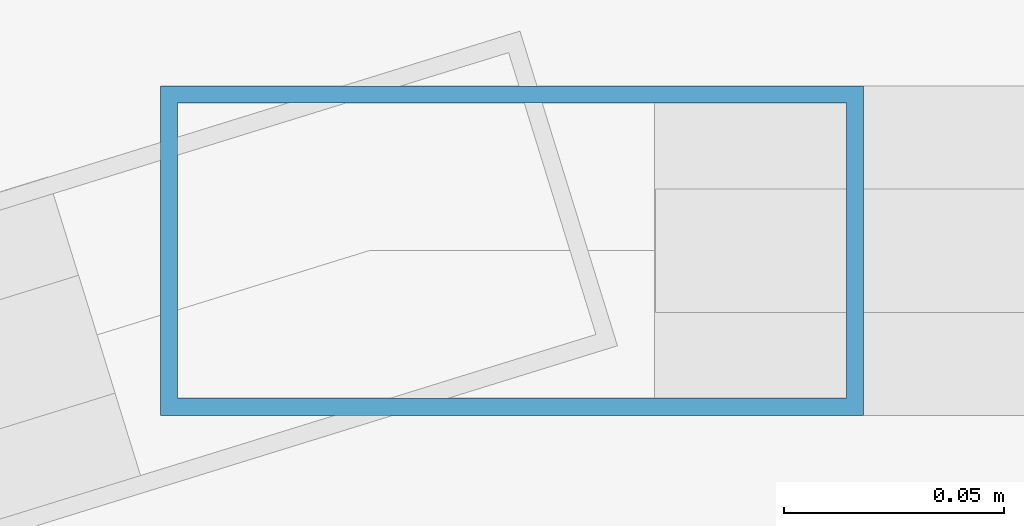
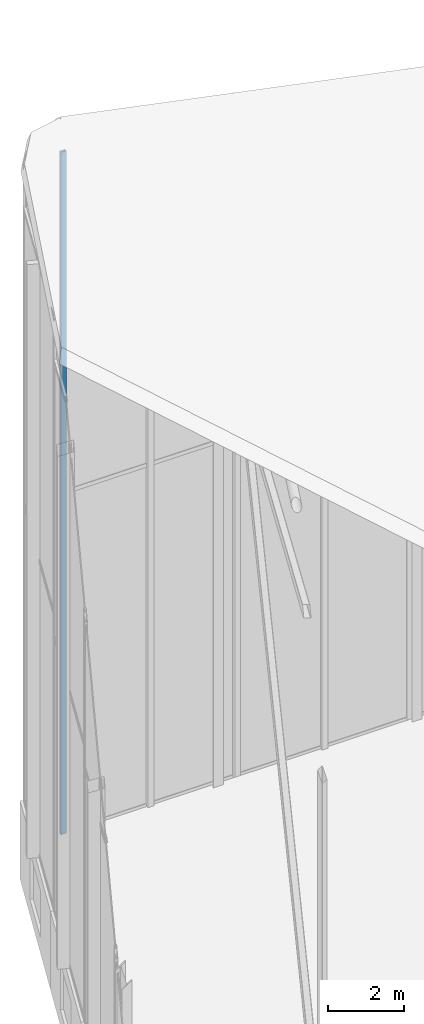
# One storey, part 43 of 74: 1 member, 1 element without a shape of its own.
"""IFC4 building model written with IfcOpenShell, lengths in metres."""

from ifc_helpers import new_model, si_unit, direction, frame, origin, origin_2d, place, context, subcontext, project, spatial, hollow_rectangle, extrude, material, layer, layer_set, material_profile, profile_set, type_object, element, aggregate, save


model = new_model("IFC4")

# Units and contexts
model_context = context("Model", 3, precision=1e-05, world=origin(), true_north=direction((0.0, 1.0)))
body_context = subcontext(model_context, "Body", "Model", "MODEL_VIEW")
ifc_project = project(units=[si_unit("LENGTHUNIT", "METRE"), si_unit("AREAUNIT", "SQUARE_METRE"), si_unit("VOLUMEUNIT", "CUBIC_METRE"), si_unit("PLANEANGLEUNIT", "RADIAN"), si_unit("MASSUNIT", "GRAM", prefix="KILO")], contexts=[model_context])

# Site, building, storey
site_placement = place(None, origin())
site = spatial("IfcSite", under=ifc_project, at=site_placement, CompositionType="ELEMENT")
building_placement = place(site_placement, origin())
building = spatial("IfcBuilding", under=site, at=building_placement, Name="Keshet Zoharim Tower", CompositionType="ELEMENT")
storey_placement = place(building_placement, frame((0.0, 0.0, 320.0)))
storey = spatial("IfcBuildingStorey", under=building, at=storey_placement, Name="RF", CompositionType="ELEMENT", Elevation=320.0)

# Curtain wall, member
ifc_material = material(Name="Aluminium 6063-T6", Category="aluminium")
ifc_layer = layer(ifc_material, 0.260009765625)
ifc_layer_set = layer_set([ifc_layer], Name="Aluminium 6063-T6")
curtain_wall_type = type_object("IfcCurtainWallType", Name="CW-SYS-06", PredefinedType="NOTDEFINED", material=ifc_layer_set)
curtain_wall_placement = place(storey_placement, origin())
curtain_wall = element("IfcCurtainWall", 1, at=curtain_wall_placement, inside=storey, type_object=curtain_wall_type, Name="Slanted Crown Curtain Wall 11", PredefinedType="NOTDEFINED")
ifc_material_profile = material_profile(ifc_material, hollow_rectangle(XDim=0.074951171875, YDim=0.159912109375, WallThickness=0.00390625, at=origin_2d()), Name="MUL-75x160")
ifc_profile_set = profile_set([ifc_material_profile], Name="Aluminium 6063-T6")
member_type = type_object("IfcMemberType", Name="CWM-M15", PredefinedType="MULLION", material=ifc_profile_set)
member_placement = place(storey_placement, frame((16.406494140625, 53.89990234375, 0.0), z_axis=(0.0, 0.0, 1.0), x_axis=(0.0, 1.0, 0.0)))
member = element("IfcMember", 2, at=member_placement, type_object=member_type, Name="CW-06 mullion 1", PredefinedType="MULLION", context=body_context, shape_type="SweptSolid", body=[
    extrude(hollow_rectangle(XDim=0.074951171875, YDim=0.159912109375, WallThickness=0.00390625, at=origin_2d()), origin(), (0.0, 0.0, 1.0), 21.791015625),
])
aggregate(curtain_wall, [member])

save(model, "model.ifc")
